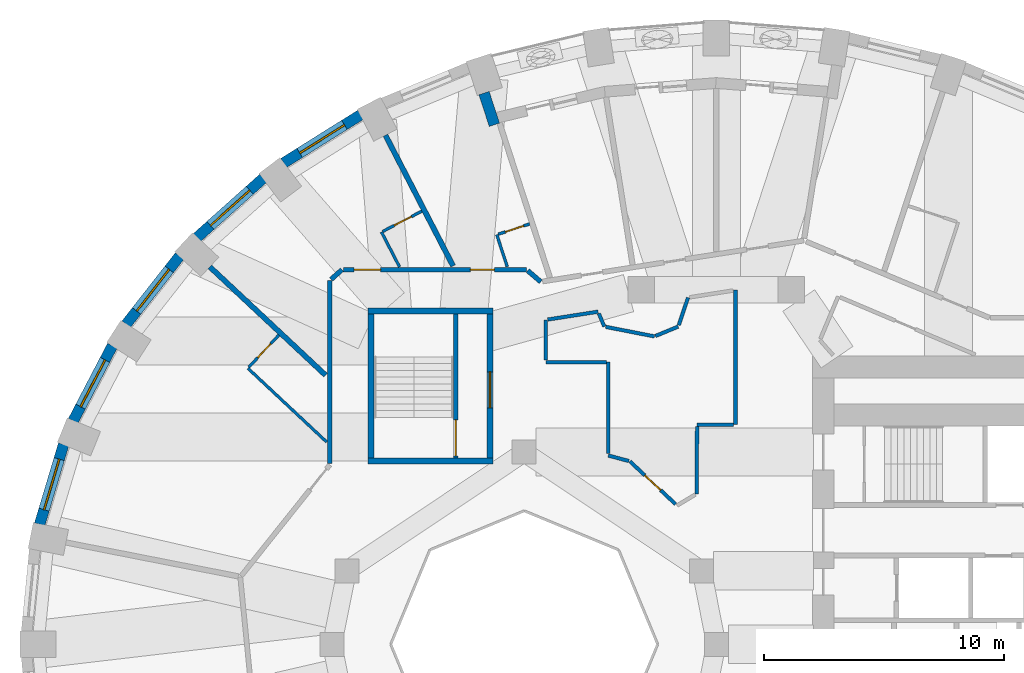
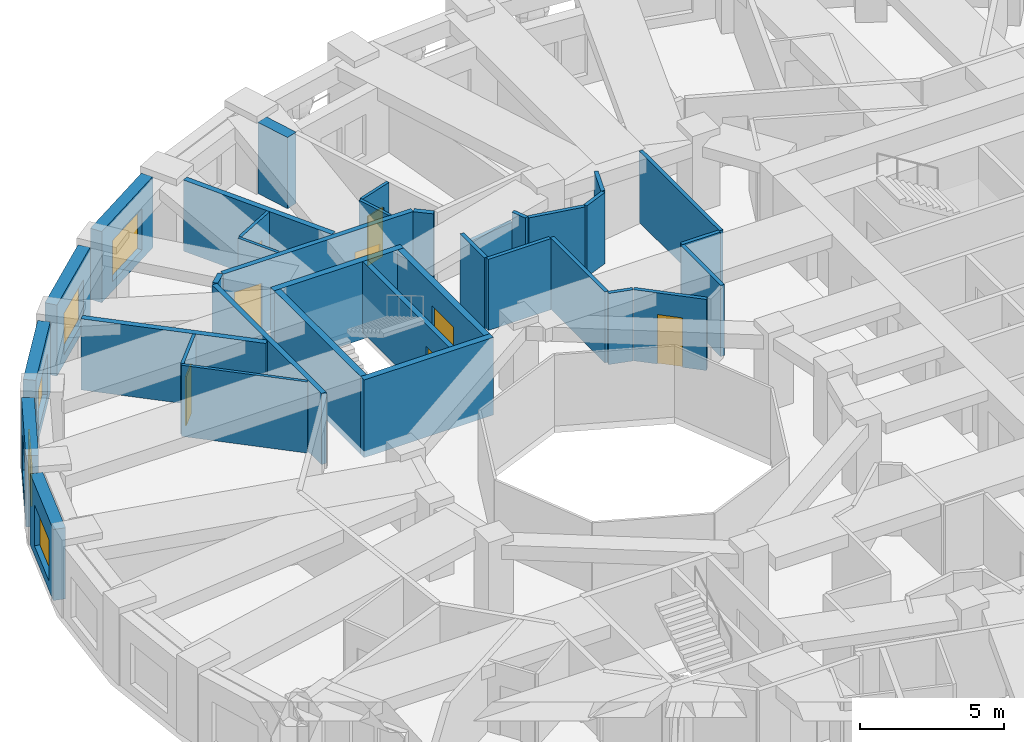
# One storey, part 7 of 13: 36 walls, 8 doors, 5 windows, 13 openings.
"""IFC4 building model written with IfcOpenShell, lengths in metres."""

import ifcopenshell
import ifcopenshell.guid

model = None  # the IFC model being written
_history = None  # IfcOwnerHistory: only IFC2X3 demands one
_inside = {}  # id of a spatial element -> (the spatial element, [elements in it])
_under = {}  # id of a project, library or spatial element -> (it, [spatial elements below it])
_declared = {}  # id of a project -> (the project, [libraries it declares])
_typed = {}  # id of a type object -> (the type object, [elements of that type])
_made_of = {}  # id of a material, layer set ... -> (it, [elements and type objects made of it])


def new_model(schema):
    """Start an empty IFC model of exactly this schema.

    Asked for "IFC4X3", IfcOpenShell would pick the latest addendum, in which some entities
    have other attributes; the version numbers below select the first issue.
    IFC2X3 requires an IfcOwnerHistory on every rooted entity: one is made here for all.
    """
    global model, _history
    if schema == "IFC4X3":
        model = ifcopenshell.file(schema_version=(4, 3, 0, 0))
    else:
        model = ifcopenshell.file(schema=schema)
    _inside.clear()
    _under.clear()
    _declared.clear()
    _typed.clear()
    _made_of.clear()
    _history = None
    if model.schema == "IFC2X3":
        org = make("IfcOrganization", Name="unknown")
        user = make(
            "IfcPersonAndOrganization",
            ThePerson=make("IfcPerson", FamilyName="unknown"),
            TheOrganization=org,
        )
        app = make(
            "IfcApplication",
            ApplicationDeveloper=org,
            Version="unknown",
            ApplicationFullName="unknown",
            ApplicationIdentifier="unknown",
        )
        _history = make(
            "IfcOwnerHistory",
            OwningUser=user,
            OwningApplication=app,
            ChangeAction="ADDED",
            CreationDate=0,
        )
    return model


def make(cls, **values):
    """One entity of the class cls with the attributes given. An attribute that is None is left unset."""
    return model.create_entity(
        cls, **{name: value for name, value in values.items() if value is not None}
    )


def rooted(cls, **values):
    """An entity with a GlobalId (a new one), such as an element, a storey or a relation."""
    return make(cls, GlobalId=ifcopenshell.guid.new(), OwnerHistory=_history, **values)


def si_unit(unit_type, name, prefix=None):
    """IfcSIUnit, for example si_unit("LENGTHUNIT", "METRE", prefix="MILLI")."""
    return make("IfcSIUnit", UnitType=unit_type, Prefix=prefix, Name=name)


def assignment(units):
    """IfcUnitAssignment: the units of a project."""
    return None if units is None else make("IfcUnitAssignment", Units=units)


def point(xyz):
    """IfcCartesianPoint."""
    return None if xyz is None else make("IfcCartesianPoint", Coordinates=xyz)


def direction(xyz):
    """IfcDirection."""
    return None if xyz is None else make("IfcDirection", DirectionRatios=xyz)


def frame(location, z_axis=None, x_axis=None):
    """IfcAxis2Placement3D, a coordinate frame: its origin and axes. An axis left out is left unset."""
    return make(
        "IfcAxis2Placement3D",
        Location=point(location),
        Axis=direction(z_axis),
        RefDirection=direction(x_axis),
    )


def frame_2d(location, x_axis=None):
    """IfcAxis2Placement2D, a coordinate frame in the plane: its origin and x axis."""
    return make(
        "IfcAxis2Placement2D", Location=point(location), RefDirection=direction(x_axis)
    )


def origin():
    """The frame at (0, 0, 0) with its axes left unset."""
    return frame((0.0, 0.0, 0.0))


def place(relative_to, where):
    """IfcLocalPlacement: puts the frame where relative to a parent placement (None: the world)."""
    return make(
        "IfcLocalPlacement", PlacementRelTo=relative_to, RelativePlacement=where
    )


def context(
    kind, dimensions, precision=None, world=None, true_north=None, identifier=None
):
    """IfcGeometricRepresentationContext, for example the 3D "Model" context."""
    return make(
        "IfcGeometricRepresentationContext",
        ContextIdentifier=identifier,
        ContextType=kind,
        CoordinateSpaceDimension=dimensions,
        Precision=precision,
        WorldCoordinateSystem=world,
        TrueNorth=true_north,
    )


def subcontext(parent, identifier, kind, view, scale=None):
    """IfcGeometricRepresentationSubContext, for example "Body" below "Model"."""
    return make(
        "IfcGeometricRepresentationSubContext",
        ContextIdentifier=identifier,
        ContextType=kind,
        ParentContext=parent,
        TargetScale=scale,
        TargetView=view,
    )


def project(units=None, contexts=None):
    """IfcProject with its units and contexts."""
    return rooted(
        "IfcProject",
        Name="project",
        RepresentationContexts=contexts,
        UnitsInContext=assignment(units),
    )


def spatial(cls, under=None, at=None, **own):
    """A site, building, storey or space (cls), placed at a placement, below another one or the project."""
    s = rooted(cls, ObjectPlacement=at, **own)
    if under is not None:
        _under.setdefault(under.id(), (under, []))[1].append(s)
    return s


def profile(cls, at=None, kind="AREA", **sizes):
    """A parametric profile (cls). Its sizes go by their IFC names, for example OverallWidth=200.0."""
    return make(cls, ProfileType=kind, Position=at, **sizes)


def rectangle(**sizes):
    """IfcRectangleProfileDef."""
    return profile("IfcRectangleProfileDef", **sizes)


def extrude(swept, where, along, depth):
    """IfcExtrudedAreaSolid: the profile swept, set in the frame where, extruded along a direction by depth."""
    return make(
        "IfcExtrudedAreaSolid",
        SweptArea=swept,
        Position=where,
        ExtrudedDirection=direction(along),
        Depth=depth,
    )


def shape(context_of_items, identifier, shape_type, items):
    """IfcShapeRepresentation: the items that make up one representation, for example the "Body"."""
    return make(
        "IfcShapeRepresentation",
        ContextOfItems=context_of_items,
        RepresentationIdentifier=identifier,
        RepresentationType=shape_type,
        Items=items,
    )


def material(Name=None, Category=None):
    """IfcMaterial."""
    return make("IfcMaterial", Name=Name, Category=Category)


def layer(
    of_material, thickness, ventilated=None, Name=None, Category=None, Priority=None
):
    """IfcMaterialLayer: one layer of a wall or slab, of a material (None: an air gap)."""
    return make(
        "IfcMaterialLayer",
        Material=of_material,
        LayerThickness=thickness,
        IsVentilated=ventilated,
        Name=Name,
        Category=Category,
        Priority=Priority,
    )


def layer_set(layers, Name=None):
    """IfcMaterialLayerSet."""
    return make("IfcMaterialLayerSet", MaterialLayers=layers, LayerSetName=Name)


def made_of(thing, what):
    """Note that an element or type object is made of a material, layer set ...; save() writes the relation."""
    if what is not None:
        _made_of.setdefault(what.id(), (what, []))[1].append(thing)
    return thing


def type_object(cls, material=None, **own):
    """A type object (cls), such as IfcWallType, which elements share."""
    return made_of(rooted(cls, **own), material)


def element(
    cls,
    number,
    at=None,
    inside=None,
    cuts=None,
    type_object=None,
    material=None,
    context=None,
    identifier="Body",
    shape_type=None,
    held_by="IfcProductDefinitionShape",
    body=None,
    shapes=None,
    **own,
):
    """One element of the class cls, such as IfcWall. Its Tag is "e" and its number.

    at: its placement. inside: the storey or other place that contains it. cuts: it is an
    opening in that element (IfcRelVoidsElement). A single representation is given by context,
    identifier, shape_type and body (its items); several are given by shapes. held_by: the class
    of the entity that holds the representations. save() writes the other relations.
    """
    e = rooted(cls, Tag="e%d" % number, ObjectPlacement=at, **own)
    if body is not None:
        shapes = [shape(context, identifier, shape_type, body)]
    if shapes is not None:
        e.Representation = make(held_by, Representations=shapes)
    if inside is not None:
        _inside.setdefault(inside.id(), (inside, []))[1].append(e)
    if cuts is not None:
        rooted(
            "IfcRelVoidsElement", RelatingBuildingElement=cuts, RelatedOpeningElement=e
        )
    if type_object is not None:
        _typed.setdefault(type_object.id(), (type_object, []))[1].append(e)
    return made_of(e, material)


def fill(opening, filler):
    """IfcRelFillsElement: the door or window that sits in an opening."""
    return rooted(
        "IfcRelFillsElement",
        RelatingOpeningElement=opening,
        RelatedBuildingElement=filler,
    )


def aggregate(whole, parts):
    """IfcRelAggregates: a whole, such as a stair, and the parts it consists of."""
    return rooted("IfcRelAggregates", RelatingObject=whole, RelatedObjects=parts)


def save(model, path):
    """Write the relations noted so far, then the file.

    IfcRelAggregates (storeys below a building ...), IfcRelContainedInSpatialStructure (elements
    in a storey), IfcRelDefinesByType, IfcRelAssociatesMaterial and IfcRelDeclares: one each for
    every whole, place, type object, material and project.
    """
    for whole, parts in _under.values():
        aggregate(whole, parts)
    for where, things in _inside.values():
        rooted(
            "IfcRelContainedInSpatialStructure",
            RelatedElements=things,
            RelatingStructure=where,
        )
    for kind, things in _typed.values():
        rooted("IfcRelDefinesByType", RelatedObjects=things, RelatingType=kind)
    for what, things in _made_of.values():
        rooted("IfcRelAssociatesMaterial", RelatedObjects=things, RelatingMaterial=what)
    for by, libraries in _declared.values():
        rooted("IfcRelDeclares", RelatingContext=by, RelatedDefinitions=libraries)
    model.write(path)


model = new_model("IFC4")

# Units and contexts
model_context = context("Model", 3, precision=1e-05, world=origin(), true_north=direction((0.0, 1.0)))
body_context = subcontext(model_context, "Body", "Model", "MODEL_VIEW")
ifc_project = project(units=[si_unit("LENGTHUNIT", "METRE"), si_unit("AREAUNIT", "SQUARE_METRE"), si_unit("VOLUMEUNIT", "CUBIC_METRE"), si_unit("PLANEANGLEUNIT", "RADIAN"), si_unit("MASSUNIT", "GRAM", prefix="KILO")], contexts=[model_context])

# Site, building, storey
site_placement = place(None, origin())
site = spatial("IfcSite", under=ifc_project, at=site_placement, CompositionType="ELEMENT")
building_placement = place(site_placement, origin())
building = spatial("IfcBuilding", under=site, at=building_placement, Name="Taillehof Tower", CompositionType="ELEMENT")
storey_placement = place(building_placement, frame((0.0, 0.0, 58.0)))
storey = spatial("IfcBuildingStorey", under=building, at=storey_placement, Name="L15", CompositionType="ELEMENT", Elevation=58.0)

# Wall, opening, window
ifc_material_1 = material(Name="Brick masonry", Category="masonry")
ifc_layer_1 = layer(ifc_material_1, 0.449951171875)
ifc_layer_set_1 = layer_set([ifc_layer_1], Name="Brick infill wall 450")
wall_type_1 = type_object("IfcWallType", Name="Brick infill wall 450", PredefinedType="SOLIDWALL", material=ifc_layer_set_1)
wall_1_placement = place(storey_placement, frame((-14.81689453125, 22.050537109375, 0.0), z_axis=(0.0, 0.0, 1.0), x_axis=(-0.847635480093, -0.530579016629, 0.0)))
wall_1 = element("IfcWall", 1, at=wall_1_placement, inside=storey, type_object=wall_type_1, Name="Brick wall L15 bay 13", PredefinedType="SOLIDWALL", context=body_context, shape_type="SweptSolid", body=[
    extrude(rectangle(XDim=3.782470703125, YDim=0.449951171875, at=frame_2d((1.89111328125, 0.0))), origin(), (0.0, 0.0, 1.0), 3.02001953125),
])
opening_1_placement = place(wall_1_placement, frame((0.791259765625, 0.0, 0.39990234375)))
opening_1 = element("IfcOpeningElement", 2, at=opening_1_placement, cuts=wall_1, Name="Opening W1", PredefinedType="OPENING", context=body_context, shape_type="SweptSolid", body=[
    extrude(rectangle(XDim=2.199951171875, YDim=1.75, at=frame_2d((1.10009765625, 0.875))), frame((0.0, 0.23486328125, 0.0), z_axis=(0.0, -1.0, 0.0), x_axis=(1.0, 0.0, 0.0)), (0.0, 0.0, 1.0), 0.469970703125),
])
ifc_material_2 = material(Name="Aluminium window frame with clear double glazing", Category="aluminium")
window_type = type_object("IfcWindowType", Name="Deep-set window 2200x1750", PartitioningType="SINGLE_PANEL", PredefinedType="WINDOW", material=ifc_material_2)
window_1_placement = place(opening_1_placement, origin())
window_1 = element("IfcWindow", 3, at=window_1_placement, inside=storey, type_object=window_type, Name="W1", OverallHeight=1.75, OverallWidth=2.199951171875, PartitioningType="SINGLE_PANEL", PredefinedType="WINDOW", context=body_context, shape_type="SweptSolid", body=[
    extrude(rectangle(XDim=2.199951171875, YDim=1.75, at=frame_2d((1.10009765625, 0.875))), frame((0.0, 0.034912109375, 0.0), z_axis=(0.0, -1.0, 0.0), x_axis=(1.0, 0.0, 0.0)), (0.0, 0.0, 1.0), 0.06005859375),
])
fill(opening_1, window_1)

wall_2_placement = place(storey_placement, frame((-18.87060546875, 19.406982421875, 0.0), z_axis=(0.0, 0.0, 1.0), x_axis=(-0.745526233716, -0.66647628228, 0.0)))
wall_2 = element("IfcWall", 4, at=wall_2_placement, inside=storey, type_object=wall_type_1, Name="Brick wall L15 bay 14", PredefinedType="SOLIDWALL", context=body_context, shape_type="SweptSolid", body=[
    extrude(rectangle(XDim=3.69677734375, YDim=0.449951171875, at=frame_2d((1.848388671875, 0.0))), origin(), (0.0, 0.0, 1.0), 3.02001953125),
])
opening_2_placement = place(wall_2_placement, frame((0.74853515625, 0.0, 0.39990234375)))
opening_2 = element("IfcOpeningElement", 5, at=opening_2_placement, cuts=wall_2, Name="Opening W1", PredefinedType="OPENING", context=body_context, shape_type="SweptSolid", body=[
    extrude(rectangle(XDim=2.199951171875, YDim=1.75, at=frame_2d((1.10009765625, 0.875))), frame((0.0, 0.23486328125, 0.0), z_axis=(0.0, -1.0, 0.0), x_axis=(1.0, 0.0, 0.0)), (0.0, 0.0, 1.0), 0.469970703125),
])
window_2_placement = place(opening_2_placement, origin())
window_2 = element("IfcWindow", 6, at=window_2_placement, inside=storey, type_object=window_type, Name="W1", OverallHeight=1.75, OverallWidth=2.199951171875, PartitioningType="SINGLE_PANEL", PredefinedType="WINDOW", context=body_context, shape_type="SweptSolid", body=[
    extrude(rectangle(XDim=2.199951171875, YDim=1.75, at=frame_2d((1.10009765625, 0.875))), frame((0.0, 0.034912109375, 0.0), z_axis=(0.0, -1.0, 0.0), x_axis=(1.0, 0.0, 0.0)), (0.0, 0.0, 1.0), 0.06005859375),
])
fill(opening_2, window_2)

wall_3_placement = place(storey_placement, frame((-22.3515625, 16.169677734375, 0.0), z_axis=(0.0, 0.0, 1.0), x_axis=(-0.616661975264, -0.787228053529, 0.0)))
wall_3 = element("IfcWall", 7, at=wall_3_placement, inside=storey, type_object=wall_type_1, Name="Brick wall L15 bay 15", PredefinedType="SOLIDWALL", context=body_context, shape_type="SweptSolid", body=[
    extrude(rectangle(XDim=3.60986328125, YDim=0.449951171875, at=frame_2d((1.804931640625, 0.0))), origin(), (0.0, 0.0, 1.0), 3.02001953125),
])
opening_3_placement = place(wall_3_placement, frame((0.704833984375, 0.0, 0.39990234375)))
opening_3 = element("IfcOpeningElement", 8, at=opening_3_placement, cuts=wall_3, Name="Opening W1", PredefinedType="OPENING", context=body_context, shape_type="SweptSolid", body=[
    extrude(rectangle(XDim=2.199951171875, YDim=1.75, at=frame_2d((1.10009765625, 0.875))), frame((0.0, 0.23486328125, 0.0), z_axis=(0.0, -1.0, 0.0), x_axis=(1.0, 0.0, 0.0)), (0.0, 0.0, 1.0), 0.469970703125),
])
window_3_placement = place(opening_3_placement, origin())
window_3 = element("IfcWindow", 9, at=window_3_placement, inside=storey, type_object=window_type, Name="W1", OverallHeight=1.75, OverallWidth=2.199951171875, PartitioningType="SINGLE_PANEL", PredefinedType="WINDOW", context=body_context, shape_type="SweptSolid", body=[
    extrude(rectangle(XDim=2.199951171875, YDim=1.75, at=frame_2d((1.10009765625, 0.875))), frame((0.0, 0.034912109375, 0.0), z_axis=(0.0, -1.0, 0.0), x_axis=(1.0, 0.0, 0.0)), (0.0, 0.0, 1.0), 0.06005859375),
])
fill(opening_3, window_3)

wall_4_placement = place(storey_placement, frame((-25.152099609375, 12.436767578125, 0.0), z_axis=(0.0, 0.0, 1.0), x_axis=(-0.462492775226, -0.886623050041, 0.0)))
wall_4 = element("IfcWall", 10, at=wall_4_placement, inside=storey, type_object=wall_type_1, Name="Brick wall L15 bay 16", PredefinedType="SOLIDWALL", context=body_context, shape_type="SweptSolid", body=[
    extrude(rectangle(XDim=3.531982421875, YDim=0.449951171875, at=frame_2d((1.76611328125, 0.0))), origin(), (0.0, 0.0, 1.0), 3.02001953125),
])
opening_4_placement = place(wall_4_placement, frame((0.666015625, 0.0, 0.39990234375)))
opening_4 = element("IfcOpeningElement", 11, at=opening_4_placement, cuts=wall_4, Name="Opening W1", PredefinedType="OPENING", context=body_context, shape_type="SweptSolid", body=[
    extrude(rectangle(XDim=2.199951171875, YDim=1.75, at=frame_2d((1.10009765625, 0.875))), frame((0.0, 0.23486328125, 0.0), z_axis=(0.0, -1.0, 0.0), x_axis=(1.0, 0.0, 0.0)), (0.0, 0.0, 1.0), 0.469970703125),
])
window_4_placement = place(opening_4_placement, origin())
window_4 = element("IfcWindow", 12, at=window_4_placement, inside=storey, type_object=window_type, Name="W1", OverallHeight=1.75, OverallWidth=2.199951171875, PartitioningType="SINGLE_PANEL", PredefinedType="WINDOW", context=body_context, shape_type="SweptSolid", body=[
    extrude(rectangle(XDim=2.199951171875, YDim=1.75, at=frame_2d((1.10009765625, 0.875))), frame((0.0, 0.034912109375, 0.0), z_axis=(0.0, -1.0, 0.0), x_axis=(1.0, 0.0, 0.0)), (0.0, 0.0, 1.0), 0.06005859375),
])
fill(opening_4, window_4)

wall_5_placement = place(storey_placement, frame((-27.184814453125, 8.322998046875, 0.0), z_axis=(0.0, 0.0, 1.0), x_axis=(-0.287064133733, -0.957911364963, 0.0)))
wall_5 = element("IfcWall", 13, at=wall_5_placement, inside=storey, type_object=wall_type_1, Name="Brick wall L15 bay 17", PredefinedType="SOLIDWALL", context=body_context, shape_type="SweptSolid", body=[
    extrude(rectangle(XDim=3.473388671875, YDim=0.449951171875, at=frame_2d((1.73681640625, 0.0))), origin(), (0.0, 0.0, 1.0), 3.02001953125),
])
opening_5_placement = place(wall_5_placement, frame((0.63671875, 0.0, 0.39990234375)))
opening_5 = element("IfcOpeningElement", 14, at=opening_5_placement, cuts=wall_5, Name="Opening W1", PredefinedType="OPENING", context=body_context, shape_type="SweptSolid", body=[
    extrude(rectangle(XDim=2.199951171875, YDim=1.75, at=frame_2d((1.10009765625, 0.875))), frame((0.0, 0.23486328125, 0.0), z_axis=(0.0, -1.0, 0.0), x_axis=(1.0, 0.0, 0.0)), (0.0, 0.0, 1.0), 0.469970703125),
])
window_5_placement = place(opening_5_placement, origin())
window_5 = element("IfcWindow", 15, at=window_5_placement, inside=storey, type_object=window_type, Name="W1", OverallHeight=1.75, OverallWidth=2.199951171875, PartitioningType="SINGLE_PANEL", PredefinedType="WINDOW", context=body_context, shape_type="SweptSolid", body=[
    extrude(rectangle(XDim=2.199951171875, YDim=1.75, at=frame_2d((1.10009765625, 0.875))), frame((0.0, 0.034912109375, 0.0), z_axis=(0.0, -1.0, 0.0), x_axis=(1.0, 0.0, 0.0)), (0.0, 0.0, 1.0), 0.06005859375),
])
fill(opening_5, window_5)

# Walls
wall_6_placement = place(storey_placement, frame((-9.673583984375, 22.95556640625, 0.0), z_axis=(0.0, 0.0, 1.0), x_axis=(0.310269011655, -0.950648799719, 0.0)))
element("IfcWall", 16, at=wall_6_placement, inside=storey, type_object=wall_type_1, Name="Brick reveal L15 pocket 2", PredefinedType="SOLIDWALL", context=body_context, shape_type="SweptSolid", body=[
    extrude(rectangle(XDim=1.390380859375, YDim=0.449951171875, at=frame_2d((0.6953125, 0.0))), origin(), (0.0, 0.0, 1.0), 3.02001953125),
])
ifc_material_3 = material(Name="Gypsum board on steel studs, two layers each side", Category="steel")
ifc_layer_2 = layer(ifc_material_3, 0.199951171875)
ifc_layer_set_2 = layer_set([ifc_layer_2], Name="Compartment wall corridor 200")
wall_type_2 = type_object("IfcWallType", Name="Compartment wall corridor 200", PredefinedType="PARTITIONING", material=ifc_layer_set_2)
wall_7_placement = place(storey_placement, frame((-16.10009765625, 7.53271484375, 0.0), z_axis=(0.0, 0.0, 1.0), x_axis=(0.0, 1.0, 0.0)))
element("IfcWall", 17, at=wall_7_placement, inside=storey, type_object=wall_type_2, Name="Compartment wall", PredefinedType="PARTITIONING", context=body_context, shape_type="SweptSolid", body=[
    extrude(rectangle(XDim=7.611328125, YDim=0.199951171875, at=frame_2d((3.8056640625, 0.0))), origin(), (0.0, 0.0, 1.0), 3.02001953125),
])
wall_8_placement = place(storey_placement, frame((-16.04052734375, 15.19775390625, 0.0), z_axis=(0.0, 0.0, 1.0), x_axis=(0.744722115519, 0.667374685359, 0.0)))
element("IfcWall", 18, at=wall_8_placement, inside=storey, type_object=wall_type_2, Name="Compartment wall", PredefinedType="PARTITIONING", context=body_context, shape_type="SweptSolid", body=[
    extrude(rectangle(XDim=0.602783203125, YDim=0.199951171875, at=frame_2d((0.30126953125, 0.0))), origin(), (0.0, 0.0, 1.0), 3.02001953125),
])

# Wall, openings, doors
wall_9_placement = place(storey_placement, frame((-15.531494140625, 15.60009765625, 0.0), z_axis=(0.0, 0.0, 1.0), x_axis=(1.0, 0.0, 0.0)))
wall_9 = element("IfcWall", 19, at=wall_9_placement, inside=storey, type_object=wall_type_2, Name="Compartment wall", PredefinedType="PARTITIONING", context=body_context, shape_type="SweptSolid", body=[
    extrude(rectangle(XDim=7.631591796875, YDim=0.199951171875, at=frame_2d((3.81591796875, 0.0))), origin(), (0.0, 0.0, 1.0), 3.02001953125),
])
opening_6_placement = place(wall_9_placement, frame((5.283447265625, 0.0, 0.0)))
opening_6 = element("IfcOpeningElement", 20, at=opening_6_placement, cuts=wall_9, Name="Opening D1546", PredefinedType="OPENING", context=body_context, shape_type="SweptSolid", body=[
    extrude(rectangle(XDim=1.0, YDim=2.10009765625, at=frame_2d((0.5, 1.050048828125))), frame((0.0, 0.10986328125, 0.0), z_axis=(0.0, -1.0, 0.0), x_axis=(1.0, 0.0, 0.0)), (0.0, 0.0, 1.0), 0.219970703125),
])
opening_7_placement = place(wall_9_placement, frame((0.451416015625, 0.0, 0.0)))
opening_7 = element("IfcOpeningElement", 21, at=opening_7_placement, cuts=wall_9, Name="Opening D1548", PredefinedType="OPENING", context=body_context, shape_type="SweptSolid", body=[
    extrude(rectangle(XDim=1.10009765625, YDim=2.10009765625, at=frame_2d((0.550048828125, 1.050048828125))), frame((0.0, 0.10986328125, 0.0), z_axis=(0.0, -1.0, 0.0), x_axis=(1.0, 0.0, 0.0)), (0.0, 0.0, 1.0), 0.219970703125),
])
ifc_material_4 = material(Name="Timber door leaf in steel frame", Category="steel")
door_type_1 = type_object("IfcDoorType", Name="Guest room door EI 30 1000 x 2100", OperationType="SINGLE_SWING_LEFT", PredefinedType="DOOR", material=ifc_material_4)
door_1_placement = place(opening_6_placement, origin())
door_1 = element("IfcDoor", 22, at=door_1_placement, inside=storey, type_object=door_type_1, Name="D1546", OperationType="SINGLE_SWING_RIGHT", OverallHeight=2.10009765625, OverallWidth=1.0, PredefinedType="DOOR", context=body_context, shape_type="SweptSolid", body=[
    extrude(rectangle(XDim=1.0, YDim=2.10009765625, at=frame_2d((0.5, 1.050048828125))), frame((0.0, 0.02490234375, 0.0), z_axis=(0.0, -1.0, 0.0), x_axis=(1.0, 0.0, 0.0)), (0.0, 0.0, 1.0), 0.050048828125),
])
fill(opening_6, door_1)
ifc_material_5 = material(Name="Timber door leaf in steel frame", Category="steel")
door_type_2 = type_object("IfcDoorType", Name="Suite entrance door EI 30 1100 x 2100", OperationType="SINGLE_SWING_LEFT", PredefinedType="DOOR", material=ifc_material_5)
door_2_placement = place(opening_7_placement, origin())
door_2 = element("IfcDoor", 23, at=door_2_placement, inside=storey, type_object=door_type_2, Name="D1548", OperationType="SINGLE_SWING_RIGHT", OverallHeight=2.10009765625, OverallWidth=1.10009765625, PredefinedType="DOOR", context=body_context, shape_type="SweptSolid", body=[
    extrude(rectangle(XDim=1.10009765625, YDim=2.10009765625, at=frame_2d((0.550048828125, 1.050048828125))), frame((0.0, 0.02490234375, 0.0), z_axis=(0.0, -1.0, 0.0), x_axis=(1.0, 0.0, 0.0)), (0.0, 0.0, 1.0), 0.050048828125),
])
fill(opening_7, door_2)

# Walls
wall_10_placement = place(storey_placement, frame((-7.8544921875, 15.561279296875, 0.0), z_axis=(0.0, 0.0, 1.0), x_axis=(0.759763914627, -0.650199041856, 0.0)))
element("IfcWall", 24, at=wall_10_placement, inside=storey, type_object=wall_type_2, Name="Compartment wall", PredefinedType="PARTITIONING", context=body_context, shape_type="SweptSolid", body=[
    extrude(rectangle(XDim=0.713134765625, YDim=0.199951171875, at=frame_2d((0.3564453125, 0.0))), origin(), (0.0, 0.0, 1.0), 3.02001953125),
])
ifc_material_6 = material(Name="Gypsum board on double steel studs with mineral wool", Category="steel")
ifc_layer_3 = layer(ifc_material_6, 0.219970703125)
ifc_layer_set_3 = layer_set([ifc_layer_3], Name="Compartment wall guest room 220")
wall_type_3 = type_object("IfcWallType", Name="Compartment wall guest room 220", PredefinedType="PARTITIONING", material=ifc_layer_set_3)
wall_11_placement = place(storey_placement, frame((-13.7802734375, 21.201171875, 0.0), z_axis=(0.0, 0.0, 1.0), x_axis=(0.459699000582, -0.888074787878, 0.0)))
element("IfcWall", 25, at=wall_11_placement, inside=storey, type_object=wall_type_3, Name="Compartment wall", PredefinedType="PARTITIONING", context=body_context, shape_type="SweptSolid", body=[
    extrude(rectangle(XDim=6.134033203125, YDim=0.219970703125, at=frame_2d((3.06689453125, 0.0))), origin(), (0.0, 0.0, 1.0), 3.02001953125),
])
wall_12_placement = place(storey_placement, frame((-21.09326171875, 15.7177734375, 0.0), z_axis=(0.0, 0.0, 1.0), x_axis=(0.73009284205, -0.683347965525, 0.0)))
element("IfcWall", 26, at=wall_12_placement, inside=storey, type_object=wall_type_3, Name="Compartment wall", PredefinedType="PARTITIONING", context=body_context, shape_type="SweptSolid", body=[
    extrude(rectangle(XDim=6.6015625, YDim=0.219970703125, at=frame_2d((3.30078125, 0.0))), origin(), (0.0, 0.0, 1.0), 3.02001953125),
])
ifc_material_7 = material(Name="Gypsum board on steel studs, two layers each side", Category="steel")
ifc_layer_4 = layer(ifc_material_7, 0.14990234375)
ifc_layer_set_4 = layer_set([ifc_layer_4], Name="Compartment wall service room 150")
wall_type_4 = type_object("IfcWallType", Name="Compartment wall service room 150", PredefinedType="PARTITIONING", material=ifc_layer_set_4)
wall_13_placement = place(storey_placement, frame((0.800048828125, 14.748779296875, 0.0), z_axis=(0.0, 0.0, 1.0), x_axis=(0.0, -1.0, 0.0)))
element("IfcWall", 27, at=wall_13_placement, inside=storey, type_object=wall_type_4, Name="Compartment wall", PredefinedType="PARTITIONING", context=body_context, shape_type="SweptSolid", body=[
    extrude(rectangle(XDim=5.598876953125, YDim=0.14990234375, at=frame_2d((2.79931640625, 0.0))), origin(), (0.0, 0.0, 1.0), 3.02001953125),
])
wall_14_placement = place(storey_placement, frame((0.719970703125, 9.14990234375, 0.0), z_axis=(0.0, 0.0, 1.0), x_axis=(-1.0, 0.0, 0.0)))
element("IfcWall", 28, at=wall_14_placement, inside=storey, type_object=wall_type_4, Name="Compartment wall", PredefinedType="PARTITIONING", context=body_context, shape_type="SweptSolid", body=[
    extrude(rectangle(XDim=1.52001953125, YDim=0.14990234375, at=frame_2d((0.760009765625, 0.0))), origin(), (0.0, 0.0, 1.0), 3.02001953125),
])
wall_15_placement = place(storey_placement, frame((-0.801025390625, 9.06982421875, 0.0), z_axis=(0.0, 0.0, 1.0), x_axis=(-0.007572902619, -0.999971325162, 0.0)))
element("IfcWall", 29, at=wall_15_placement, inside=storey, type_object=wall_type_4, Name="Compartment wall", PredefinedType="PARTITIONING", context=body_context, shape_type="SweptSolid", body=[
    extrude(rectangle(XDim=2.8046875, YDim=0.14990234375, at=frame_2d((1.40234375, 0.0))), origin(), (0.0, 0.0, 1.0), 3.02001953125),
])

# Wall, opening, door
wall_16_placement = place(storey_placement, frame((-1.6943359375, 5.832275390625, 0.0), z_axis=(0.0, 0.0, 1.0), x_axis=(-0.729170056034, 0.684332542981, 0.0)))
wall_16 = element("IfcWall", 30, at=wall_16_placement, inside=storey, type_object=wall_type_4, Name="Compartment wall", PredefinedType="PARTITIONING", context=body_context, shape_type="SweptSolid", body=[
    extrude(rectangle(XDim=2.613525390625, YDim=0.14990234375, at=frame_2d((1.306640625, 0.0))), origin(), (0.0, 0.0, 1.0), 3.02001953125),
])
opening_8_placement = place(wall_16_placement, frame((0.856689453125, 0.0, 0.0)))
opening_8 = element("IfcOpeningElement", 31, at=opening_8_placement, cuts=wall_16, Name="Opening D1568", PredefinedType="OPENING", context=body_context, shape_type="SweptSolid", body=[
    extrude(rectangle(XDim=0.89990234375, YDim=2.10009765625, at=frame_2d((0.449951171875, 1.050048828125))), frame((0.0, 0.0849609375, 0.0), z_axis=(0.0, -1.0, 0.0), x_axis=(1.0, 0.0, 0.0)), (0.0, 0.0, 1.0), 0.169921875),
])
ifc_material_8 = material(Name="Timber door leaf in steel frame", Category="steel")
door_type_3 = type_object("IfcDoorType", Name="Service room door EI 30 900 x 2100", OperationType="SINGLE_SWING_LEFT", PredefinedType="DOOR", material=ifc_material_8)
door_3_placement = place(opening_8_placement, origin())
door_3 = element("IfcDoor", 32, at=door_3_placement, inside=storey, type_object=door_type_3, Name="D1568", OperationType="SINGLE_SWING_RIGHT", OverallHeight=2.10009765625, OverallWidth=0.89990234375, PredefinedType="DOOR", context=body_context, shape_type="SweptSolid", body=[
    extrude(rectangle(XDim=0.89990234375, YDim=2.10009765625, at=frame_2d((0.449951171875, 1.050048828125))), frame((0.0, 0.02490234375, 0.0), z_axis=(0.0, -1.0, 0.0), x_axis=(1.0, 0.0, 0.0)), (0.0, 0.0, 1.0), 0.050048828125),
])
fill(opening_8, door_3)

# Walls
wall_17_placement = place(storey_placement, frame((-3.638671875, 7.631103515625, 0.0), z_axis=(0.0, 0.0, 1.0), x_axis=(-0.965879594242, 0.258991523853, 0.0)))
element("IfcWall", 33, at=wall_17_placement, inside=storey, type_object=wall_type_4, Name="Compartment wall", PredefinedType="PARTITIONING", context=body_context, shape_type="SweptSolid", body=[
    extrude(rectangle(XDim=0.891845703125, YDim=0.14990234375, at=frame_2d((0.44580078125, 0.0))), origin(), (0.0, 0.0, 1.0), 3.02001953125),
])
wall_18_placement = place(storey_placement, frame((-4.5, 7.942138671875, 0.0), z_axis=(0.0, 0.0, 1.0), x_axis=(0.0, 1.0, 0.0)))
element("IfcWall", 34, at=wall_18_placement, inside=storey, type_object=wall_type_4, Name="Compartment wall", PredefinedType="PARTITIONING", context=body_context, shape_type="SweptSolid", body=[
    extrude(rectangle(XDim=3.807861328125, YDim=0.14990234375, at=frame_2d((1.90380859375, 0.0))), origin(), (0.0, 0.0, 1.0), 3.02001953125),
])
wall_19_placement = place(storey_placement, frame((-4.580078125, 11.75, 0.0), z_axis=(0.0, 0.0, 1.0), x_axis=(-1.0, 0.0, 0.0)))
element("IfcWall", 35, at=wall_19_placement, inside=storey, type_object=wall_type_4, Name="Compartment wall", PredefinedType="PARTITIONING", context=body_context, shape_type="SweptSolid", body=[
    extrude(rectangle(XDim=2.52001953125, YDim=0.14990234375, at=frame_2d((1.260009765625, 0.0))), origin(), (0.0, 0.0, 1.0), 3.02001953125),
])
wall_20_placement = place(storey_placement, frame((-7.10009765625, 11.830078125, 0.0), z_axis=(0.0, 0.0, 1.0), x_axis=(0.0, 1.0, 0.0)))
element("IfcWall", 36, at=wall_20_placement, inside=storey, type_object=wall_type_4, Name="Compartment wall", PredefinedType="PARTITIONING", context=body_context, shape_type="SweptSolid", body=[
    extrude(rectangle(XDim=1.681396484375, YDim=0.14990234375, at=frame_2d((0.8408203125, 0.0))), origin(), (0.0, 0.0, 1.0), 3.02001953125),
])
wall_21_placement = place(storey_placement, frame((-7.02099609375, 13.524169921875, 0.0), z_axis=(0.0, 0.0, 1.0), x_axis=(0.987976394461, 0.154604799366, 0.0)))
element("IfcWall", 37, at=wall_21_placement, inside=storey, type_object=wall_type_4, Name="Compartment wall", PredefinedType="PARTITIONING", context=body_context, shape_type="SweptSolid", body=[
    extrude(rectangle(XDim=2.1240234375, YDim=0.14990234375, at=frame_2d((1.06201171875, 0.0))), origin(), (0.0, 0.0, 1.0), 2.570068359375),
])
wall_22_placement = place(storey_placement, frame((-4.892333984375, 13.7783203125, 0.0), z_axis=(0.0, 0.0, 1.0), x_axis=(0.383178293395, -0.923674399056, 0.0)))
element("IfcWall", 38, at=wall_22_placement, inside=storey, type_object=wall_type_4, Name="Compartment wall", PredefinedType="PARTITIONING", context=body_context, shape_type="SweptSolid", body=[
    extrude(rectangle(XDim=0.59130859375, YDim=0.14990234375, at=frame_2d((0.295654296875, 0.0))), origin(), (0.0, 0.0, 1.0), 3.02001953125),
])
wall_23_placement = place(storey_placement, frame((-4.607177734375, 13.220458984375, 0.0), z_axis=(0.0, 0.0, 1.0), x_axis=(0.981304142817, -0.192463449234, 0.0)))
element("IfcWall", 39, at=wall_23_placement, inside=storey, type_object=wall_type_4, Name="Compartment wall", PredefinedType="PARTITIONING", context=body_context, shape_type="SweptSolid", body=[
    extrude(rectangle(XDim=2.0703125, YDim=0.14990234375, at=frame_2d((1.03515625, 0.0))), origin(), (0.0, 0.0, 1.0), 3.02001953125),
])
wall_24_placement = place(storey_placement, frame((-2.53857421875, 12.837158203125, 0.0), z_axis=(0.0, 0.0, 1.0), x_axis=(0.923768662954, 0.382950985565, 0.0)))
element("IfcWall", 40, at=wall_24_placement, inside=storey, type_object=wall_type_4, Name="Compartment wall", PredefinedType="PARTITIONING", context=body_context, shape_type="SweptSolid", body=[
    extrude(rectangle(XDim=1.031494140625, YDim=0.14990234375, at=frame_2d((0.515625, 0.0))), origin(), (0.0, 0.0, 1.0), 3.02001953125),
])
wall_25_placement = place(storey_placement, frame((-1.566650390625, 13.289306640625, 0.0), z_axis=(0.0, 0.0, 1.0), x_axis=(0.321769415776, 0.946818062286, 0.0)))
element("IfcWall", 41, at=wall_25_placement, inside=storey, type_object=wall_type_4, Name="Compartment wall", PredefinedType="PARTITIONING", context=body_context, shape_type="SweptSolid", body=[
    extrude(rectangle(XDim=1.21484375, YDim=0.14990234375, at=frame_2d((0.607421875, 0.0))), origin(), (0.0, 0.0, 1.0), 3.02001953125),
])
ifc_material_9 = material(Name="Gypsum board on steel studs, moisture resistant", Category="steel")
ifc_layer_5 = layer(ifc_material_9, 0.1201171875)
ifc_layer_set_5 = layer_set([ifc_layer_5], Name="En-suite wall 120")
wall_type_5 = type_object("IfcWallType", Name="En-suite wall 120", PredefinedType="PARTITIONING", material=ifc_layer_set_5)
wall_26_placement = place(storey_placement, frame((-8.705810546875, 15.71923828125, 0.0), z_axis=(0.0, 0.0, 1.0), x_axis=(-0.310245242974, 0.950656556918, 0.0)))
element("IfcWall", 42, at=wall_26_placement, inside=storey, type_object=wall_type_5, Name="En-suite wall", PredefinedType="PARTITIONING", context=body_context, shape_type="SweptSolid", body=[
    extrude(rectangle(XDim=1.409423828125, YDim=0.1201171875, at=frame_2d((0.70458984375, 0.0))), origin(), (0.0, 0.0, 1.0), 3.02001953125),
])
wall_27_placement = place(storey_placement, frame((-13.194091796875, 15.718017578125, 0.0), z_axis=(0.0, 0.0, 1.0), x_axis=(-0.459736274936, 0.888055492359, 0.0)))
element("IfcWall", 43, at=wall_27_placement, inside=storey, type_object=wall_type_5, Name="En-suite wall", PredefinedType="PARTITIONING", context=body_context, shape_type="SweptSolid", body=[
    extrude(rectangle(XDim=1.6318359375, YDim=0.1201171875, at=frame_2d((0.81591796875, 0.0))), origin(), (0.0, 0.0, 1.0), 3.02001953125),
])
wall_28_placement = place(storey_placement, frame((-16.2294921875, 8.42626953125, 0.0), z_axis=(0.0, 0.0, 1.0), x_axis=(-0.730077325201, 0.683364543438, 0.0)))
element("IfcWall", 44, at=wall_28_placement, inside=storey, type_object=wall_type_5, Name="En-suite wall", PredefinedType="PARTITIONING", context=body_context, shape_type="SweptSolid", body=[
    extrude(rectangle(XDim=4.49462890625, YDim=0.1201171875, at=frame_2d((2.247314453125, 0.0))), origin(), (0.0, 0.0, 1.0), 3.02001953125),
])

# Wall, opening, door
wall_29_placement = place(storey_placement, frame((-9.0859375, 17.077392578125, 0.0), z_axis=(0.0, 0.0, 1.0), x_axis=(0.950576687533, 0.310489872812, 0.0)))
wall_29 = element("IfcWall", 45, at=wall_29_placement, inside=storey, type_object=wall_type_5, Name="En-suite wall", PredefinedType="PARTITIONING", context=body_context, shape_type="SweptSolid", body=[
    extrude(rectangle(XDim=1.3798828125, YDim=0.1201171875, at=frame_2d((0.68994140625, 0.0))), origin(), (0.0, 0.0, 1.0), 3.02001953125),
])
opening_9_placement = place(wall_29_placement, frame((0.31494140625, 0.0, 0.0)))
opening_9 = element("IfcOpeningElement", 46, at=opening_9_placement, cuts=wall_29, Name="Opening D1547", PredefinedType="OPENING", context=body_context, shape_type="SweptSolid", body=[
    extrude(rectangle(XDim=0.800048828125, YDim=2.10009765625, at=frame_2d((0.39990234375, 1.050048828125))), frame((0.0, 0.070068359375, 0.0), z_axis=(0.0, -1.0, 0.0), x_axis=(1.0, 0.0, 0.0)), (0.0, 0.0, 1.0), 0.14013671875),
])
ifc_material_10 = material(Name="Timber door leaf in steel frame", Category="steel")
door_type_4 = type_object("IfcDoorType", Name="En-suite door 800 x 2100", OperationType="SINGLE_SWING_LEFT", PredefinedType="DOOR", material=ifc_material_10)
door_4_placement = place(opening_9_placement, origin())
door_4 = element("IfcDoor", 47, at=door_4_placement, inside=storey, type_object=door_type_4, Name="D1547", OperationType="SINGLE_SWING_RIGHT", OverallHeight=2.10009765625, OverallWidth=0.800048828125, PredefinedType="DOOR", context=body_context, shape_type="SweptSolid", body=[
    extrude(rectangle(XDim=0.800048828125, YDim=2.10009765625, at=frame_2d((0.39990234375, 1.050048828125))), frame((0.0, 0.02490234375, 0.0), z_axis=(0.0, -1.0, 0.0), x_axis=(1.0, 0.0, 0.0)), (0.0, 0.0, 1.0), 0.050048828125),
])
fill(opening_9, door_4)

wall_30_placement = place(storey_placement, frame((-13.89111328125, 17.19482421875, 0.0), z_axis=(0.0, 0.0, 1.0), x_axis=(0.88806930088, 0.459709600546, 0.0)))
wall_30 = element("IfcWall", 48, at=wall_30_placement, inside=storey, type_object=wall_type_5, Name="En-suite wall", PredefinedType="PARTITIONING", context=body_context, shape_type="SweptSolid", body=[
    extrude(rectangle(XDim=1.830078125, YDim=0.1201171875, at=frame_2d((0.9150390625, 0.0))), origin(), (0.0, 0.0, 1.0), 3.02001953125),
])
opening_10_placement = place(wall_30_placement, frame((0.5400390625, 0.0, 0.0)))
opening_10 = element("IfcOpeningElement", 49, at=opening_10_placement, cuts=wall_30, Name="Opening D1549", PredefinedType="OPENING", context=body_context, shape_type="SweptSolid", body=[
    extrude(rectangle(XDim=0.800048828125, YDim=2.10009765625, at=frame_2d((0.39990234375, 1.050048828125))), frame((0.0, 0.070068359375, 0.0), z_axis=(0.0, -1.0, 0.0), x_axis=(1.0, 0.0, 0.0)), (0.0, 0.0, 1.0), 0.14013671875),
])
door_5_placement = place(opening_10_placement, origin())
door_5 = element("IfcDoor", 50, at=door_5_placement, inside=storey, type_object=door_type_4, Name="D1549", OperationType="SINGLE_SWING_RIGHT", OverallHeight=2.10009765625, OverallWidth=0.800048828125, PredefinedType="DOOR", context=body_context, shape_type="SweptSolid", body=[
    extrude(rectangle(XDim=0.800048828125, YDim=2.10009765625, at=frame_2d((0.39990234375, 1.050048828125))), frame((0.0, 0.02490234375, 0.0), z_axis=(0.0, -1.0, 0.0), x_axis=(1.0, 0.0, 0.0)), (0.0, 0.0, 1.0), 0.050048828125),
])
fill(opening_10, door_5)

wall_31_placement = place(storey_placement, frame((-19.469970703125, 11.54150390625, 0.0), z_axis=(0.0, 0.0, 1.0), x_axis=(0.683306289544, 0.730131847456, 0.0)))
wall_31 = element("IfcWall", 51, at=wall_31_placement, inside=storey, type_object=wall_type_5, Name="En-suite wall", PredefinedType="PARTITIONING", context=body_context, shape_type="SweptSolid", body=[
    extrude(rectangle(XDim=1.830078125, YDim=0.1201171875, at=frame_2d((0.9150390625, 0.0))), origin(), (0.0, 0.0, 1.0), 3.02001953125),
])
opening_11_placement = place(wall_31_placement, frame((0.5400390625, 0.0, 0.0)))
opening_11 = element("IfcOpeningElement", 52, at=opening_11_placement, cuts=wall_31, Name="Opening D1551", PredefinedType="OPENING", context=body_context, shape_type="SweptSolid", body=[
    extrude(rectangle(XDim=0.800048828125, YDim=2.10009765625, at=frame_2d((0.39990234375, 1.050048828125))), frame((0.0, 0.070068359375, 0.0), z_axis=(0.0, -1.0, 0.0), x_axis=(1.0, 0.0, 0.0)), (0.0, 0.0, 1.0), 0.14013671875),
])
door_6_placement = place(opening_11_placement, origin())
door_6 = element("IfcDoor", 53, at=door_6_placement, inside=storey, type_object=door_type_4, Name="D1551", OperationType="SINGLE_SWING_RIGHT", OverallHeight=2.10009765625, OverallWidth=0.800048828125, PredefinedType="DOOR", context=body_context, shape_type="SweptSolid", body=[
    extrude(rectangle(XDim=0.800048828125, YDim=2.10009765625, at=frame_2d((0.39990234375, 1.050048828125))), frame((0.0, 0.02490234375, 0.0), z_axis=(0.0, -1.0, 0.0), x_axis=(1.0, 0.0, 0.0)), (0.0, 0.0, 1.0), 0.050048828125),
])
fill(opening_11, door_6)

ifc_material_11 = material(Name="Concrete C50/60", Category="concrete")
ifc_layer_6 = layer(ifc_material_11, 0.199951171875)
ifc_layer_set_6 = layer_set([ifc_layer_6], Name="Shaft wall C50/60 200")
wall_type_6 = type_object("IfcWallType", Name="Shaft wall C50/60 200", PredefinedType="SHEAR", material=ifc_layer_set_6)
wall_32_placement = place(storey_placement, frame((-10.85009765625, 7.75, 0.0), z_axis=(0.0, 0.0, 1.0), x_axis=(0.0, 1.0, 0.0)))
wall_32 = element("IfcWall", 54, at=wall_32_placement, inside=storey, type_object=wall_type_6, Name="Shaft wall SW", PredefinedType="SHEAR", context=body_context, shape_type="SweptSolid", body=[
    extrude(rectangle(XDim=6.0, YDim=0.199951171875, at=frame_2d((3.0, 0.0))), origin(), (0.0, 0.0, 1.0), 3.02001953125),
])
opening_12_placement = place(wall_32_placement, frame((0.10009765625, 0.0, 0.0)))
opening_12 = element("IfcOpeningElement", 55, at=opening_12_placement, cuts=wall_32, Name="Opening D1512", PredefinedType="OPENING", context=body_context, shape_type="SweptSolid", body=[
    extrude(rectangle(XDim=1.5, YDim=2.10009765625, at=frame_2d((0.75, 1.050048828125))), frame((0.0, 0.10986328125, 0.0), z_axis=(0.0, -1.0, 0.0), x_axis=(1.0, 0.0, 0.0)), (0.0, 0.0, 1.0), 0.219970703125),
])
ifc_material_12 = material(Name="Steel-faced fire door", Category="steel")
door_type_5 = type_object("IfcDoorType", Name="Stair door 1500x2100", OperationType="DOUBLE_DOOR_SINGLE_SWING", PredefinedType="DOOR", material=ifc_material_12)
door_7_placement = place(opening_12_placement, origin())
door_7 = element("IfcDoor", 56, at=door_7_placement, inside=storey, type_object=door_type_5, Name="Stair lobby door S3", OperationType="DOUBLE_DOOR_SINGLE_SWING", OverallHeight=2.10009765625, OverallWidth=1.5, PredefinedType="DOOR", context=body_context, shape_type="SweptSolid", body=[
    extrude(rectangle(XDim=1.5, YDim=2.10009765625, at=frame_2d((0.75, 1.050048828125))), frame((0.0, 0.02490234375, 0.0), z_axis=(0.0, -1.0, 0.0), x_axis=(1.0, 0.0, 0.0)), (0.0, 0.0, 1.0), 0.050048828125),
])
fill(opening_12, door_7)

# Wall
ifc_material_13 = material(Name="Concrete C50/60", Category="concrete")
ifc_layer_7 = layer(ifc_material_13, 0.25)
ifc_layer_set_7 = layer_set([ifc_layer_7], Name="Stair wall C50/60 250")
wall_type_7 = type_object("IfcWallType", Name="Stair wall C50/60 250", PredefinedType="SHEAR", material=ifc_layer_set_7)
wall_33_placement = place(storey_placement, frame((-14.375, 7.75, -0.280029296875), z_axis=(0.0, 0.0, 1.0), x_axis=(0.0, 1.0, 0.0)))
element("IfcWall", 57, at=wall_33_placement, inside=storey, type_object=wall_type_7, Name="Stair wall SC", PredefinedType="SHEAR", context=body_context, shape_type="SweptSolid", body=[
    extrude(rectangle(XDim=6.0, YDim=0.25, at=frame_2d((3.0, 0.0))), origin(), (0.0, 0.0, 1.0), 3.300048828125),
])

# Wall, opening, door
wall_34_placement = place(storey_placement, frame((-9.425048828125, 7.75, -0.280029296875), z_axis=(0.0, 0.0, 1.0), x_axis=(0.0, 1.0, 0.0)))
wall_34 = element("IfcWall", 58, at=wall_34_placement, inside=storey, type_object=wall_type_7, Name="Stair wall SC", PredefinedType="SHEAR", context=body_context, shape_type="SweptSolid", body=[
    extrude(rectangle(XDim=6.0, YDim=0.25, at=frame_2d((3.0, 0.0))), origin(), (0.0, 0.0, 1.0), 3.300048828125),
])
opening_13_placement = place(wall_34_placement, frame((2.10009765625, 0.0, 0.280029296875)))
opening_13 = element("IfcOpeningElement", 59, at=opening_13_placement, cuts=wall_34, Name="Opening D1519", PredefinedType="OPENING", context=body_context, shape_type="SweptSolid", body=[
    extrude(rectangle(XDim=1.5, YDim=2.10009765625, at=frame_2d((0.75, 1.050048828125))), frame((0.0, 0.135009765625, 0.0), z_axis=(0.0, -1.0, 0.0), x_axis=(1.0, 0.0, 0.0)), (0.0, 0.0, 1.0), 0.27001953125),
])
door_8_placement = place(opening_13_placement, origin())
door_8 = element("IfcDoor", 60, at=door_8_placement, inside=storey, type_object=door_type_5, Name="Stair door S3", OperationType="DOUBLE_DOOR_SINGLE_SWING", OverallHeight=2.10009765625, OverallWidth=1.5, PredefinedType="DOOR", context=body_context, shape_type="SweptSolid", body=[
    extrude(rectangle(XDim=1.5, YDim=2.10009765625, at=frame_2d((0.75, 1.050048828125))), frame((0.0, 0.02490234375, 0.0), z_axis=(0.0, -1.0, 0.0), x_axis=(1.0, 0.0, 0.0)), (0.0, 0.0, 1.0), 0.050048828125),
])
fill(opening_13, door_8)

# Walls
for number, where, z_axis, x_axis, name in (
    (61, (-14.5, 13.875, -0.280029296875), (0.0, 0.0, 1.0), (1.0, 0.0, 0.0), "Stair wall SC"),
    (62, (-14.5, 7.625, -0.280029296875), (0.0, 0.0, 1.0), (1.0, 0.0, 0.0), "Stair wall SC"),
):
    element("IfcWall", number, at=place(storey_placement, frame(where, z_axis=z_axis, x_axis=x_axis)), inside=storey, type_object=wall_type_7, Name=name, PredefinedType="SHEAR", context=body_context, shape_type="SweptSolid", body=[
        extrude(rectangle(XDim=5.199951171875, YDim=0.25, at=frame_2d((2.60009765625, 0.0))), origin(), (0.0, 0.0, 1.0), 3.300048828125),
    ])

save(model, "model.ifc")
